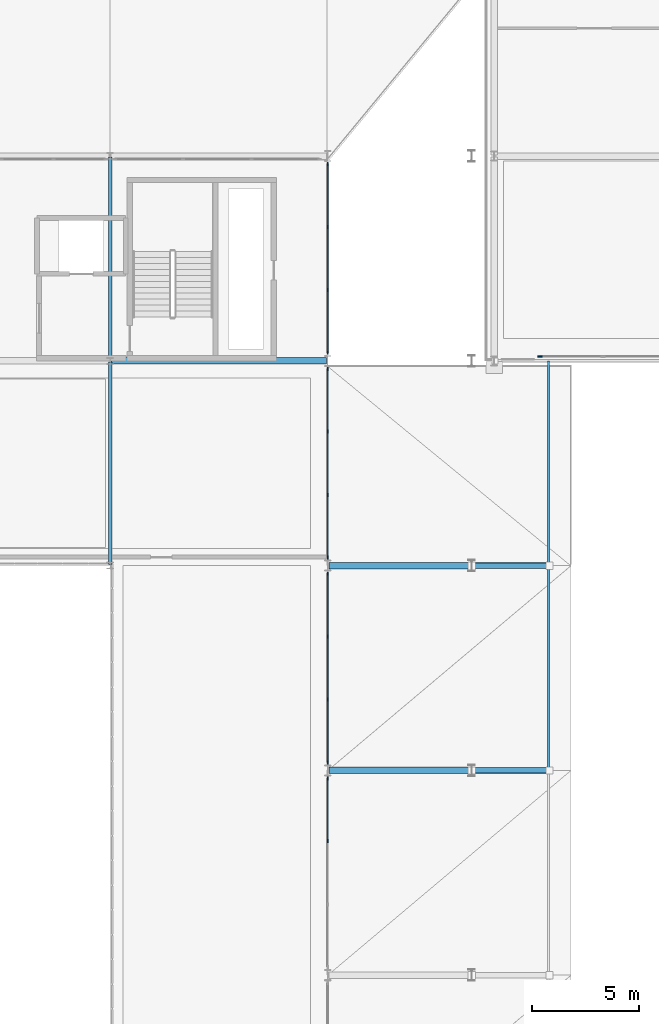
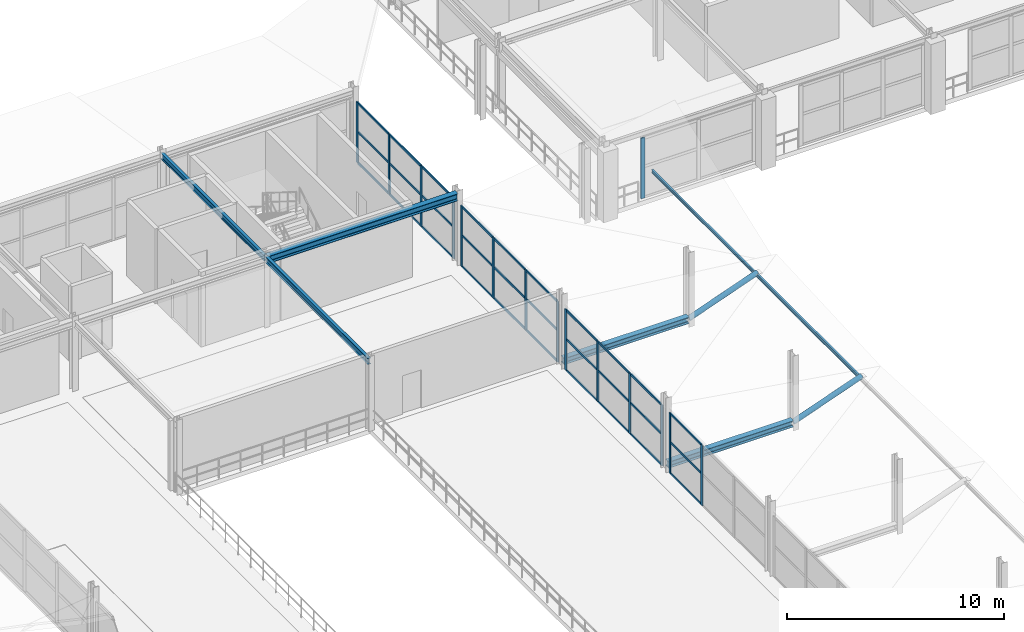
# One storey, part 23 of 81: 49 members, 5 beams, 5 elements without a shape of their own.
"""IFC4 building model written with IfcOpenShell, lengths in metres."""

from ifc_helpers import new_model, si_unit, direction, frame, origin, origin_2d, place, context, subcontext, project, spatial, rectangle, hollow_circle, i_section, extrude, material, layer, layer_set, material_profile, profile_set, type_object, element, aggregate, save


model = new_model("IFC4")

# Units and contexts
model_context = context("Model", 3, precision=1e-05, world=origin(), true_north=direction((0.0, 1.0)))
body_context = subcontext(model_context, "Body", "Model", "MODEL_VIEW")
ifc_project = project(units=[si_unit("LENGTHUNIT", "METRE"), si_unit("AREAUNIT", "SQUARE_METRE"), si_unit("VOLUMEUNIT", "CUBIC_METRE"), si_unit("PLANEANGLEUNIT", "RADIAN"), si_unit("MASSUNIT", "GRAM", prefix="KILO")], contexts=[model_context])

# Site, building, storey
site_placement = place(None, origin())
site = spatial("IfcSite", under=ifc_project, at=site_placement, CompositionType="ELEMENT")
building_placement = place(site_placement, origin())
building = spatial("IfcBuilding", under=site, at=building_placement, Name="Myrtia Square Station", CompositionType="ELEMENT")
storey_placement = place(building_placement, frame((0.0, 0.0, 10.800048828125)))
storey = spatial("IfcBuildingStorey", under=building, at=storey_placement, Name="L02", CompositionType="ELEMENT", Elevation=10.800048828125)

# Beams
ifc_material_1 = material(Name="Steel S355", Category="steel")
ifc_material_profile_1 = material_profile(ifc_material_1, i_section(OverallWidth=0.300048828125, OverallDepth=0.360107421875, WebThickness=0.012451171875, FlangeThickness=0.0224609375, FilletRadius=0.027099609375, at=origin_2d()), Name="HEB 360")
ifc_profile_set_1 = profile_set([ifc_material_profile_1], Name="Steel S355")
beam_type_1 = type_object("IfcBeamType", Name="BM-HEB360", PredefinedType="BEAM", material=ifc_profile_set_1)
for number, where, z_axis, x_axis, name in (
    (1, (109.85009765625, 67.199951171875, 0.300048828125), (1.0, 0.0, 0.0), (0.0, 1.0, 0.0), "Lower wrap colonnade tie beam 017"),
    (2, (109.85009765625, 76.800048828125, 0.300048828125), (1.0, 0.0, 0.0), (0.0, 1.0, 0.0), "Lower wrap colonnade tie beam 021"),
):
    element("IfcBeam", number, at=place(storey_placement, frame(where, z_axis=z_axis, x_axis=x_axis)), inside=storey, type_object=beam_type_1, Name=name, PredefinedType="BEAM", context=body_context, shape_type="SweptSolid", body=[
        extrude(i_section(OverallWidth=0.300048828125, OverallDepth=0.360107421875, WebThickness=0.012451171875, FlangeThickness=0.0224609375, FilletRadius=0.027099609375, at=origin_2d()), origin(), (0.0, 0.0, 1.0), 6.64990234375),
    ])
ifc_material_profile_2 = material_profile(ifc_material_1, i_section(OverallWidth=0.300048828125, OverallDepth=0.39990234375, WebThickness=0.013427734375, FlangeThickness=0.02392578125, FilletRadius=0.027099609375, at=origin_2d()), Name="HEB 400")
ifc_profile_set_2 = profile_set([ifc_material_profile_2], Name="Steel S355")
beam_type_2 = type_object("IfcBeamType", Name="BM-HEB400", PredefinedType="BEAM", material=ifc_profile_set_2)
beam_placement = place(storey_placement, frame((99.64990234375, 86.39990234375, 3.760009765625), z_axis=(1.0, 0.0, 0.0), x_axis=(0.0, 1.0, 0.0)))
element("IfcBeam", 3, at=beam_placement, inside=storey, type_object=beam_type_2, Name="Structural girder BMX-L02-0699", PredefinedType="BEAM", context=body_context, shape_type="SweptSolid", body=[
    extrude(i_section(OverallWidth=0.300048828125, OverallDepth=0.39990234375, WebThickness=0.013427734375, FlangeThickness=0.02392578125, FilletRadius=0.027099609375, at=origin_2d()), origin(), (0.0, 0.0, 1.0), 10.10009765625),
])
ifc_material_profile_3 = material_profile(ifc_material_1, i_section(OverallWidth=0.159912109375, OverallDepth=0.330078125, WebThickness=0.007568359375, FlangeThickness=0.011474609375, FilletRadius=0.01806640625, at=origin_2d()), Name="IPE 330")
ifc_profile_set_3 = profile_set([ifc_material_profile_3], Name="Steel S355")
beam_type_3 = type_object("IfcBeamType", Name="BM-IPE330", PredefinedType="BEAM", material=ifc_profile_set_3)
for number, where, z_axis, x_axis, name in (
    (4, (99.60009765625, 76.85009765625, 3.794921875), (0.0, 1.0, 0.0), (-1.0, 0.0, 0.0), "Structural girder BMY-L02-0709"),
    (5, (99.60009765625, 86.449951171875, 3.794921875), (0.0, 1.0, 0.0), (-1.0, 0.0, 0.0), "Structural girder BMY-L02-0710"),
):
    element("IfcBeam", number, at=place(storey_placement, frame(where, z_axis=z_axis, x_axis=x_axis)), inside=storey, type_object=beam_type_3, Name=name, PredefinedType="BEAM", context=body_context, shape_type="SweptSolid", body=[
        extrude(i_section(OverallWidth=0.159912109375, OverallDepth=0.330078125, WebThickness=0.007568359375, FlangeThickness=0.011474609375, FilletRadius=0.01806640625, at=origin_2d()), origin(), (0.0, 0.0, 1.0), 9.5),
    ])

# Curtain wall, members
ifc_material_2 = material(Name="Dark bronze anodised aluminium", Category="aluminium")
ifc_layer_1 = layer(ifc_material_2, 0.159912109375, Name="Dark bronze anodised aluminium")
ifc_layer_set_1 = layer_set([ifc_layer_1], Name="Dark bronze anodised aluminium")
curtain_wall_type_1 = type_object("IfcCurtainWallType", Name="CW-TYPE-06-890x341", PredefinedType="USERDEFINED", material=ifc_layer_set_1)
curtain_wall_1_placement = place(storey_placement, origin())
curtain_wall_1 = element("IfcCurtainWall", 6, at=curtain_wall_1_placement, inside=storey, type_object=curtain_wall_type_1, Name="Concourse curtain wall CW-L02-026", ObjectType="CONCOURSE CURTAIN WALL", PredefinedType="USERDEFINED")
ifc_material_profile_4 = material_profile(ifc_material_2, rectangle(XDim=0.06005859375, YDim=0.159912109375, at=origin_2d()), Name="ALU-M 60x160")
ifc_profile_set_4 = profile_set([ifc_material_profile_4], Name="Dark bronze anodised aluminium")
member_type_1 = type_object("IfcMemberType", Name="CWM-60x160", PredefinedType="MULLION", material=ifc_profile_set_4)
member_1_placement = place(storey_placement, frame((109.800048828125, 63.88330078125, 0.0), z_axis=(0.0, 0.0, 1.0), x_axis=(-1.0, 0.0, 0.0)))
member_1 = element("IfcMember", 7, at=member_1_placement, type_object=member_type_1, Name="CW-026 mullion 3", PredefinedType="MULLION", context=body_context, shape_type="SweptSolid", body=[
    extrude(rectangle(XDim=0.06005859375, YDim=0.159912109375, at=origin_2d()), origin(), (0.0, 0.0, 1.0), 3.409912109375),
])
member_2_placement = place(storey_placement, frame((109.800048828125, 66.820068359375, 0.0), z_axis=(0.0, 0.0, 1.0), x_axis=(-1.0, 0.0, 0.0)))
member_2 = element("IfcMember", 8, at=member_2_placement, type_object=member_type_1, Name="CW-026 mullion 4", PredefinedType="MULLION", context=body_context, shape_type="SweptSolid", body=[
    extrude(rectangle(XDim=0.06005859375, YDim=0.159912109375, at=origin_2d()), origin(), (0.0, 0.0, 1.0), 3.409912109375),
])

curtain_wall_2_placement = place(storey_placement, origin())
curtain_wall_2 = element("IfcCurtainWall", 9, at=curtain_wall_2_placement, inside=storey, type_object=curtain_wall_type_1, Name="Concourse curtain wall CW-L02-028", ObjectType="CONCOURSE CURTAIN WALL", PredefinedType="USERDEFINED")
member_3_placement = place(storey_placement, frame((109.800048828125, 67.580078125, 0.0), z_axis=(0.0, 0.0, 1.0), x_axis=(-1.0, 0.0, 0.0)))
member_3 = element("IfcMember", 10, at=member_3_placement, type_object=member_type_1, Name="CW-028 mullion 1", PredefinedType="MULLION", context=body_context, shape_type="SweptSolid", body=[
    extrude(rectangle(XDim=0.06005859375, YDim=0.159912109375, at=origin_2d()), origin(), (0.0, 0.0, 1.0), 3.409912109375),
])
member_4_placement = place(storey_placement, frame((109.800048828125, 70.5166015625, 0.0), z_axis=(0.0, 0.0, 1.0), x_axis=(-1.0, 0.0, 0.0)))
member_4 = element("IfcMember", 11, at=member_4_placement, type_object=member_type_1, Name="CW-028 mullion 2", PredefinedType="MULLION", context=body_context, shape_type="SweptSolid", body=[
    extrude(rectangle(XDim=0.06005859375, YDim=0.159912109375, at=origin_2d()), origin(), (0.0, 0.0, 1.0), 3.409912109375),
])
member_5_placement = place(storey_placement, frame((109.800048828125, 73.4833984375, 0.0), z_axis=(0.0, 0.0, 1.0), x_axis=(-1.0, 0.0, 0.0)))
member_5 = element("IfcMember", 12, at=member_5_placement, type_object=member_type_1, Name="CW-028 mullion 3", PredefinedType="MULLION", context=body_context, shape_type="SweptSolid", body=[
    extrude(rectangle(XDim=0.06005859375, YDim=0.159912109375, at=origin_2d()), origin(), (0.0, 0.0, 1.0), 3.409912109375),
])
member_6_placement = place(storey_placement, frame((109.800048828125, 76.419921875, 0.0), z_axis=(0.0, 0.0, 1.0), x_axis=(-1.0, 0.0, 0.0)))
member_6 = element("IfcMember", 13, at=member_6_placement, type_object=member_type_1, Name="CW-028 mullion 4", PredefinedType="MULLION", context=body_context, shape_type="SweptSolid", body=[
    extrude(rectangle(XDim=0.06005859375, YDim=0.159912109375, at=origin_2d()), origin(), (0.0, 0.0, 1.0), 3.409912109375),
])

curtain_wall_3_placement = place(storey_placement, origin())
curtain_wall_3 = element("IfcCurtainWall", 14, at=curtain_wall_3_placement, inside=storey, type_object=curtain_wall_type_1, Name="Concourse curtain wall CW-L02-030", ObjectType="CONCOURSE CURTAIN WALL", PredefinedType="USERDEFINED")
member_7_placement = place(storey_placement, frame((109.800048828125, 77.179931640625, 0.0), z_axis=(0.0, 0.0, 1.0), x_axis=(-1.0, 0.0, 0.0)))
member_7 = element("IfcMember", 15, at=member_7_placement, type_object=member_type_1, Name="CW-030 mullion 1", PredefinedType="MULLION", context=body_context, shape_type="SweptSolid", body=[
    extrude(rectangle(XDim=0.06005859375, YDim=0.159912109375, at=origin_2d()), origin(), (0.0, 0.0, 1.0), 3.409912109375),
])
member_8_placement = place(storey_placement, frame((109.800048828125, 80.11669921875, 0.0), z_axis=(0.0, 0.0, 1.0), x_axis=(-1.0, 0.0, 0.0)))
member_8 = element("IfcMember", 16, at=member_8_placement, type_object=member_type_1, Name="CW-030 mullion 2", PredefinedType="MULLION", context=body_context, shape_type="SweptSolid", body=[
    extrude(rectangle(XDim=0.06005859375, YDim=0.159912109375, at=origin_2d()), origin(), (0.0, 0.0, 1.0), 3.409912109375),
])
member_9_placement = place(storey_placement, frame((109.800048828125, 83.083251953125, 0.0), z_axis=(0.0, 0.0, 1.0), x_axis=(-1.0, 0.0, 0.0)))
member_9 = element("IfcMember", 17, at=member_9_placement, type_object=member_type_1, Name="CW-030 mullion 3", PredefinedType="MULLION", context=body_context, shape_type="SweptSolid", body=[
    extrude(rectangle(XDim=0.06005859375, YDim=0.159912109375, at=origin_2d()), origin(), (0.0, 0.0, 1.0), 3.409912109375),
])
member_10_placement = place(storey_placement, frame((109.800048828125, 86.02001953125, 0.0), z_axis=(0.0, 0.0, 1.0), x_axis=(-1.0, 0.0, 0.0)))
member_10 = element("IfcMember", 18, at=member_10_placement, type_object=member_type_1, Name="CW-030 mullion 4", PredefinedType="MULLION", context=body_context, shape_type="SweptSolid", body=[
    extrude(rectangle(XDim=0.06005859375, YDim=0.159912109375, at=origin_2d()), origin(), (0.0, 0.0, 1.0), 3.409912109375),
])

curtain_wall_4_placement = place(storey_placement, origin())
curtain_wall_4 = element("IfcCurtainWall", 19, at=curtain_wall_4_placement, inside=storey, type_object=curtain_wall_type_1, Name="Concourse curtain wall CW-L02-032", ObjectType="CONCOURSE CURTAIN WALL", PredefinedType="USERDEFINED")
member_11_placement = place(storey_placement, frame((109.800048828125, 86.780029296875, 0.0), z_axis=(0.0, 0.0, 1.0), x_axis=(-1.0, 0.0, 0.0)))
member_11 = element("IfcMember", 20, at=member_11_placement, type_object=member_type_1, Name="CW-032 mullion 1", PredefinedType="MULLION", context=body_context, shape_type="SweptSolid", body=[
    extrude(rectangle(XDim=0.06005859375, YDim=0.159912109375, at=origin_2d()), origin(), (0.0, 0.0, 1.0), 3.409912109375),
])
member_12_placement = place(storey_placement, frame((109.800048828125, 89.716552734375, 0.0), z_axis=(0.0, 0.0, 1.0), x_axis=(-1.0, 0.0, 0.0)))
member_12 = element("IfcMember", 21, at=member_12_placement, type_object=member_type_1, Name="CW-032 mullion 2", PredefinedType="MULLION", context=body_context, shape_type="SweptSolid", body=[
    extrude(rectangle(XDim=0.06005859375, YDim=0.159912109375, at=origin_2d()), origin(), (0.0, 0.0, 1.0), 3.409912109375),
])
member_13_placement = place(storey_placement, frame((109.800048828125, 92.683349609375, 0.0), z_axis=(0.0, 0.0, 1.0), x_axis=(-1.0, 0.0, 0.0)))
member_13 = element("IfcMember", 22, at=member_13_placement, type_object=member_type_1, Name="CW-032 mullion 3", PredefinedType="MULLION", context=body_context, shape_type="SweptSolid", body=[
    extrude(rectangle(XDim=0.06005859375, YDim=0.159912109375, at=origin_2d()), origin(), (0.0, 0.0, 1.0), 3.409912109375),
])
member_14_placement = place(storey_placement, frame((109.800048828125, 95.6201171875, 0.0), z_axis=(0.0, 0.0, 1.0), x_axis=(-1.0, 0.0, 0.0)))
member_14 = element("IfcMember", 23, at=member_14_placement, type_object=member_type_1, Name="CW-032 mullion 4", PredefinedType="MULLION", context=body_context, shape_type="SweptSolid", body=[
    extrude(rectangle(XDim=0.06005859375, YDim=0.159912109375, at=origin_2d()), origin(), (0.0, 0.0, 1.0), 3.409912109375),
])

# Curtain wall, member
ifc_layer_2 = layer(ifc_material_2, 0.159912109375, Name="Dark bronze anodised aluminium")
ifc_layer_set_2 = layer_set([ifc_layer_2], Name="Dark bronze anodised aluminium")
curtain_wall_type_2 = type_object("IfcCurtainWallType", Name="CW-TYPE-38-598x340", PredefinedType="USERDEFINED", material=ifc_layer_set_2)
curtain_wall_5_placement = place(storey_placement, origin())
curtain_wall_5 = element("IfcCurtainWall", 24, at=curtain_wall_5_placement, inside=storey, type_object=curtain_wall_type_2, Name="Concourse curtain wall CW-L02-117", ObjectType="CONCOURSE CURTAIN WALL", PredefinedType="USERDEFINED")
ifc_material_profile_5 = material_profile(ifc_material_2, rectangle(XDim=0.06494140625, YDim=0.199951171875, at=origin_2d()), Name="ALU-M 65x200")
ifc_profile_set_5 = profile_set([ifc_material_profile_5], Name="Dark bronze anodised aluminium")
member_type_2 = type_object("IfcMemberType", Name="CWM-65x200", PredefinedType="MULLION", material=ifc_profile_set_5)
member_15_placement = place(storey_placement, frame((119.757568359375, 86.60009765625, 0.0), z_axis=(0.0, 0.0, 1.0), x_axis=(0.0, 1.0, 0.0)))
member_15 = element("IfcMember", 25, at=member_15_placement, type_object=member_type_2, Name="CW-117 mullion 1", PredefinedType="MULLION", context=body_context, shape_type="SweptSolid", body=[
    extrude(rectangle(XDim=0.06494140625, YDim=0.199951171875, at=origin_2d()), origin(), (0.0, 0.0, 1.0), 3.39990234375),
])
aggregate(curtain_wall_5, [member_15])

# Member
ifc_material_profile_6 = material_profile(ifc_material_2, rectangle(XDim=0.06005859375, YDim=0.1201171875, at=origin_2d()), Name="ALU-T 60x120")
ifc_profile_set_6 = profile_set([ifc_material_profile_6], Name="Dark bronze anodised aluminium")
member_type_3 = type_object("IfcMemberType", Name="CWT-60x120", PredefinedType="USERDEFINED", material=ifc_profile_set_6)
member_16_placement = place(storey_placement, frame((109.800048828125, 63.913330078125, 0.030029296875), z_axis=(0.0, 1.0, 0.0), x_axis=(-1.0, 0.0, 0.0)))
member_16 = element("IfcMember", 26, at=member_16_placement, type_object=member_type_3, Name="CW-026 transom 3.1", ObjectType="TRANSOM", PredefinedType="USERDEFINED", context=body_context, shape_type="SweptSolid", body=[
    extrude(rectangle(XDim=0.06005859375, YDim=0.1201171875, at=origin_2d()), origin(), (0.0, 0.0, 1.0), 2.876708984375),
])

member_17_placement = place(storey_placement, frame((109.800048828125, 63.913330078125, 1.77294921875), z_axis=(0.0, 1.0, 0.0), x_axis=(-1.0, 0.0, 0.0)))
member_17 = element("IfcMember", 27, at=member_17_placement, type_object=member_type_3, Name="CW-026 transom 3.2", ObjectType="TRANSOM", PredefinedType="USERDEFINED", context=body_context, shape_type="SweptSolid", body=[
    extrude(rectangle(XDim=0.06005859375, YDim=0.1201171875, at=origin_2d()), origin(), (0.0, 0.0, 1.0), 2.876708984375),
])

member_18_placement = place(storey_placement, frame((109.800048828125, 63.913330078125, 3.3798828125), z_axis=(0.0, 1.0, 0.0), x_axis=(-1.0, 0.0, 0.0)))
member_18 = element("IfcMember", 28, at=member_18_placement, type_object=member_type_3, Name="CW-026 transom 3.3", ObjectType="TRANSOM", PredefinedType="USERDEFINED", context=body_context, shape_type="SweptSolid", body=[
    extrude(rectangle(XDim=0.06005859375, YDim=0.1201171875, at=origin_2d()), origin(), (0.0, 0.0, 1.0), 2.876708984375),
])

aggregate(curtain_wall_1, [member_1, member_2, member_16, member_17, member_18])

member_19_placement = place(storey_placement, frame((109.800048828125, 67.610107421875, 0.030029296875), z_axis=(0.0, 1.0, 0.0), x_axis=(-1.0, 0.0, 0.0)))
member_19 = element("IfcMember", 29, at=member_19_placement, type_object=member_type_3, Name="CW-028 transom 1.1", ObjectType="TRANSOM", PredefinedType="USERDEFINED", context=body_context, shape_type="SweptSolid", body=[
    extrude(rectangle(XDim=0.06005859375, YDim=0.1201171875, at=origin_2d()), origin(), (0.0, 0.0, 1.0), 2.87646484375),
])

member_20_placement = place(storey_placement, frame((109.800048828125, 67.610107421875, 1.77294921875), z_axis=(0.0, 1.0, 0.0), x_axis=(-1.0, 0.0, 0.0)))
member_20 = element("IfcMember", 30, at=member_20_placement, type_object=member_type_3, Name="CW-028 transom 1.2", ObjectType="TRANSOM", PredefinedType="USERDEFINED", context=body_context, shape_type="SweptSolid", body=[
    extrude(rectangle(XDim=0.06005859375, YDim=0.1201171875, at=origin_2d()), origin(), (0.0, 0.0, 1.0), 2.87646484375),
])

member_21_placement = place(storey_placement, frame((109.800048828125, 67.610107421875, 3.3798828125), z_axis=(0.0, 1.0, 0.0), x_axis=(-1.0, 0.0, 0.0)))
member_21 = element("IfcMember", 31, at=member_21_placement, type_object=member_type_3, Name="CW-028 transom 1.3", ObjectType="TRANSOM", PredefinedType="USERDEFINED", context=body_context, shape_type="SweptSolid", body=[
    extrude(rectangle(XDim=0.06005859375, YDim=0.1201171875, at=origin_2d()), origin(), (0.0, 0.0, 1.0), 2.87646484375),
])

member_22_placement = place(storey_placement, frame((109.800048828125, 70.546630859375, 0.030029296875), z_axis=(0.0, 1.0, 0.0), x_axis=(-1.0, 0.0, 0.0)))
member_22 = element("IfcMember", 32, at=member_22_placement, type_object=member_type_3, Name="CW-028 transom 2.1", ObjectType="TRANSOM", PredefinedType="USERDEFINED", context=body_context, shape_type="SweptSolid", body=[
    extrude(rectangle(XDim=0.06005859375, YDim=0.1201171875, at=origin_2d()), origin(), (0.0, 0.0, 1.0), 2.90673828125),
])

member_23_placement = place(storey_placement, frame((109.800048828125, 70.546630859375, 1.77294921875), z_axis=(0.0, 1.0, 0.0), x_axis=(-1.0, 0.0, 0.0)))
member_23 = element("IfcMember", 33, at=member_23_placement, type_object=member_type_3, Name="CW-028 transom 2.2", ObjectType="TRANSOM", PredefinedType="USERDEFINED", context=body_context, shape_type="SweptSolid", body=[
    extrude(rectangle(XDim=0.06005859375, YDim=0.1201171875, at=origin_2d()), origin(), (0.0, 0.0, 1.0), 2.90673828125),
])

member_24_placement = place(storey_placement, frame((109.800048828125, 70.546630859375, 3.3798828125), z_axis=(0.0, 1.0, 0.0), x_axis=(-1.0, 0.0, 0.0)))
member_24 = element("IfcMember", 34, at=member_24_placement, type_object=member_type_3, Name="CW-028 transom 2.3", ObjectType="TRANSOM", PredefinedType="USERDEFINED", context=body_context, shape_type="SweptSolid", body=[
    extrude(rectangle(XDim=0.06005859375, YDim=0.1201171875, at=origin_2d()), origin(), (0.0, 0.0, 1.0), 2.90673828125),
])

member_25_placement = place(storey_placement, frame((109.800048828125, 73.513427734375, 0.030029296875), z_axis=(0.0, 1.0, 0.0), x_axis=(-1.0, 0.0, 0.0)))
member_25 = element("IfcMember", 35, at=member_25_placement, type_object=member_type_3, Name="CW-028 transom 3.1", ObjectType="TRANSOM", PredefinedType="USERDEFINED", context=body_context, shape_type="SweptSolid", body=[
    extrude(rectangle(XDim=0.06005859375, YDim=0.1201171875, at=origin_2d()), origin(), (0.0, 0.0, 1.0), 2.87646484375),
])

member_26_placement = place(storey_placement, frame((109.800048828125, 73.513427734375, 1.77294921875), z_axis=(0.0, 1.0, 0.0), x_axis=(-1.0, 0.0, 0.0)))
member_26 = element("IfcMember", 36, at=member_26_placement, type_object=member_type_3, Name="CW-028 transom 3.2", ObjectType="TRANSOM", PredefinedType="USERDEFINED", context=body_context, shape_type="SweptSolid", body=[
    extrude(rectangle(XDim=0.06005859375, YDim=0.1201171875, at=origin_2d()), origin(), (0.0, 0.0, 1.0), 2.87646484375),
])

member_27_placement = place(storey_placement, frame((109.800048828125, 73.513427734375, 3.3798828125), z_axis=(0.0, 1.0, 0.0), x_axis=(-1.0, 0.0, 0.0)))
member_27 = element("IfcMember", 37, at=member_27_placement, type_object=member_type_3, Name="CW-028 transom 3.3", ObjectType="TRANSOM", PredefinedType="USERDEFINED", context=body_context, shape_type="SweptSolid", body=[
    extrude(rectangle(XDim=0.06005859375, YDim=0.1201171875, at=origin_2d()), origin(), (0.0, 0.0, 1.0), 2.87646484375),
])

aggregate(curtain_wall_2, [member_3, member_4, member_5, member_6, member_19, member_20, member_21, member_22, member_23, member_24, member_25, member_26, member_27])

member_28_placement = place(storey_placement, frame((109.800048828125, 77.2099609375, 0.030029296875), z_axis=(0.0, 1.0, 0.0), x_axis=(-1.0, 0.0, 0.0)))
member_28 = element("IfcMember", 38, at=member_28_placement, type_object=member_type_3, Name="CW-030 transom 1.1", ObjectType="TRANSOM", PredefinedType="USERDEFINED", context=body_context, shape_type="SweptSolid", body=[
    extrude(rectangle(XDim=0.06005859375, YDim=0.1201171875, at=origin_2d()), origin(), (0.0, 0.0, 1.0), 2.876708984375),
])

member_29_placement = place(storey_placement, frame((109.800048828125, 77.2099609375, 1.77294921875), z_axis=(0.0, 1.0, 0.0), x_axis=(-1.0, 0.0, 0.0)))
member_29 = element("IfcMember", 39, at=member_29_placement, type_object=member_type_3, Name="CW-030 transom 1.2", ObjectType="TRANSOM", PredefinedType="USERDEFINED", context=body_context, shape_type="SweptSolid", body=[
    extrude(rectangle(XDim=0.06005859375, YDim=0.1201171875, at=origin_2d()), origin(), (0.0, 0.0, 1.0), 2.876708984375),
])

member_30_placement = place(storey_placement, frame((109.800048828125, 77.2099609375, 3.3798828125), z_axis=(0.0, 1.0, 0.0), x_axis=(-1.0, 0.0, 0.0)))
member_30 = element("IfcMember", 40, at=member_30_placement, type_object=member_type_3, Name="CW-030 transom 1.3", ObjectType="TRANSOM", PredefinedType="USERDEFINED", context=body_context, shape_type="SweptSolid", body=[
    extrude(rectangle(XDim=0.06005859375, YDim=0.1201171875, at=origin_2d()), origin(), (0.0, 0.0, 1.0), 2.876708984375),
])

member_31_placement = place(storey_placement, frame((109.800048828125, 80.146728515625, 0.030029296875), z_axis=(0.0, 1.0, 0.0), x_axis=(-1.0, 0.0, 0.0)))
member_31 = element("IfcMember", 41, at=member_31_placement, type_object=member_type_3, Name="CW-030 transom 2.1", ObjectType="TRANSOM", PredefinedType="USERDEFINED", context=body_context, shape_type="SweptSolid", body=[
    extrude(rectangle(XDim=0.06005859375, YDim=0.1201171875, at=origin_2d()), origin(), (0.0, 0.0, 1.0), 2.906494140625),
])

member_32_placement = place(storey_placement, frame((109.800048828125, 80.146728515625, 1.77294921875), z_axis=(0.0, 1.0, 0.0), x_axis=(-1.0, 0.0, 0.0)))
member_32 = element("IfcMember", 42, at=member_32_placement, type_object=member_type_3, Name="CW-030 transom 2.2", ObjectType="TRANSOM", PredefinedType="USERDEFINED", context=body_context, shape_type="SweptSolid", body=[
    extrude(rectangle(XDim=0.06005859375, YDim=0.1201171875, at=origin_2d()), origin(), (0.0, 0.0, 1.0), 2.906494140625),
])

member_33_placement = place(storey_placement, frame((109.800048828125, 80.146728515625, 3.3798828125), z_axis=(0.0, 1.0, 0.0), x_axis=(-1.0, 0.0, 0.0)))
member_33 = element("IfcMember", 43, at=member_33_placement, type_object=member_type_3, Name="CW-030 transom 2.3", ObjectType="TRANSOM", PredefinedType="USERDEFINED", context=body_context, shape_type="SweptSolid", body=[
    extrude(rectangle(XDim=0.06005859375, YDim=0.1201171875, at=origin_2d()), origin(), (0.0, 0.0, 1.0), 2.906494140625),
])

member_34_placement = place(storey_placement, frame((109.800048828125, 83.11328125, 0.030029296875), z_axis=(0.0, 1.0, 0.0), x_axis=(-1.0, 0.0, 0.0)))
member_34 = element("IfcMember", 44, at=member_34_placement, type_object=member_type_3, Name="CW-030 transom 3.1", ObjectType="TRANSOM", PredefinedType="USERDEFINED", context=body_context, shape_type="SweptSolid", body=[
    extrude(rectangle(XDim=0.06005859375, YDim=0.1201171875, at=origin_2d()), origin(), (0.0, 0.0, 1.0), 2.876708984375),
])

member_35_placement = place(storey_placement, frame((109.800048828125, 83.11328125, 1.77294921875), z_axis=(0.0, 1.0, 0.0), x_axis=(-1.0, 0.0, 0.0)))
member_35 = element("IfcMember", 45, at=member_35_placement, type_object=member_type_3, Name="CW-030 transom 3.2", ObjectType="TRANSOM", PredefinedType="USERDEFINED", context=body_context, shape_type="SweptSolid", body=[
    extrude(rectangle(XDim=0.06005859375, YDim=0.1201171875, at=origin_2d()), origin(), (0.0, 0.0, 1.0), 2.876708984375),
])

member_36_placement = place(storey_placement, frame((109.800048828125, 83.11328125, 3.3798828125), z_axis=(0.0, 1.0, 0.0), x_axis=(-1.0, 0.0, 0.0)))
member_36 = element("IfcMember", 46, at=member_36_placement, type_object=member_type_3, Name="CW-030 transom 3.3", ObjectType="TRANSOM", PredefinedType="USERDEFINED", context=body_context, shape_type="SweptSolid", body=[
    extrude(rectangle(XDim=0.06005859375, YDim=0.1201171875, at=origin_2d()), origin(), (0.0, 0.0, 1.0), 2.876708984375),
])

aggregate(curtain_wall_3, [member_7, member_8, member_9, member_10, member_28, member_29, member_30, member_31, member_32, member_33, member_34, member_35, member_36])

member_37_placement = place(storey_placement, frame((109.800048828125, 86.81005859375, 0.030029296875), z_axis=(0.0, 1.0, 0.0), x_axis=(-1.0, 0.0, 0.0)))
member_37 = element("IfcMember", 47, at=member_37_placement, type_object=member_type_3, Name="CW-032 transom 1.1", ObjectType="TRANSOM", PredefinedType="USERDEFINED", context=body_context, shape_type="SweptSolid", body=[
    extrude(rectangle(XDim=0.06005859375, YDim=0.1201171875, at=origin_2d()), origin(), (0.0, 0.0, 1.0), 2.876708984375),
])

member_38_placement = place(storey_placement, frame((109.800048828125, 86.81005859375, 1.77294921875), z_axis=(0.0, 1.0, 0.0), x_axis=(-1.0, 0.0, 0.0)))
member_38 = element("IfcMember", 48, at=member_38_placement, type_object=member_type_3, Name="CW-032 transom 1.2", ObjectType="TRANSOM", PredefinedType="USERDEFINED", context=body_context, shape_type="SweptSolid", body=[
    extrude(rectangle(XDim=0.06005859375, YDim=0.1201171875, at=origin_2d()), origin(), (0.0, 0.0, 1.0), 2.876708984375),
])

member_39_placement = place(storey_placement, frame((109.800048828125, 86.81005859375, 3.3798828125), z_axis=(0.0, 1.0, 0.0), x_axis=(-1.0, 0.0, 0.0)))
member_39 = element("IfcMember", 49, at=member_39_placement, type_object=member_type_3, Name="CW-032 transom 1.3", ObjectType="TRANSOM", PredefinedType="USERDEFINED", context=body_context, shape_type="SweptSolid", body=[
    extrude(rectangle(XDim=0.06005859375, YDim=0.1201171875, at=origin_2d()), origin(), (0.0, 0.0, 1.0), 2.876708984375),
])

member_40_placement = place(storey_placement, frame((109.800048828125, 89.74658203125, 0.030029296875), z_axis=(0.0, 1.0, 0.0), x_axis=(-1.0, 0.0, 0.0)))
member_40 = element("IfcMember", 50, at=member_40_placement, type_object=member_type_3, Name="CW-032 transom 2.1", ObjectType="TRANSOM", PredefinedType="USERDEFINED", context=body_context, shape_type="SweptSolid", body=[
    extrude(rectangle(XDim=0.06005859375, YDim=0.1201171875, at=origin_2d()), origin(), (0.0, 0.0, 1.0), 2.90673828125),
])

member_41_placement = place(storey_placement, frame((109.800048828125, 89.74658203125, 1.77294921875), z_axis=(0.0, 1.0, 0.0), x_axis=(-1.0, 0.0, 0.0)))
member_41 = element("IfcMember", 51, at=member_41_placement, type_object=member_type_3, Name="CW-032 transom 2.2", ObjectType="TRANSOM", PredefinedType="USERDEFINED", context=body_context, shape_type="SweptSolid", body=[
    extrude(rectangle(XDim=0.06005859375, YDim=0.1201171875, at=origin_2d()), origin(), (0.0, 0.0, 1.0), 2.90673828125),
])

member_42_placement = place(storey_placement, frame((109.800048828125, 89.74658203125, 3.3798828125), z_axis=(0.0, 1.0, 0.0), x_axis=(-1.0, 0.0, 0.0)))
member_42 = element("IfcMember", 52, at=member_42_placement, type_object=member_type_3, Name="CW-032 transom 2.3", ObjectType="TRANSOM", PredefinedType="USERDEFINED", context=body_context, shape_type="SweptSolid", body=[
    extrude(rectangle(XDim=0.06005859375, YDim=0.1201171875, at=origin_2d()), origin(), (0.0, 0.0, 1.0), 2.90673828125),
])

member_43_placement = place(storey_placement, frame((109.800048828125, 92.71337890625, 0.030029296875), z_axis=(0.0, 1.0, 0.0), x_axis=(-1.0, 0.0, 0.0)))
member_43 = element("IfcMember", 53, at=member_43_placement, type_object=member_type_3, Name="CW-032 transom 3.1", ObjectType="TRANSOM", PredefinedType="USERDEFINED", context=body_context, shape_type="SweptSolid", body=[
    extrude(rectangle(XDim=0.06005859375, YDim=0.1201171875, at=origin_2d()), origin(), (0.0, 0.0, 1.0), 2.876708984375),
])

member_44_placement = place(storey_placement, frame((109.800048828125, 92.71337890625, 1.77294921875), z_axis=(0.0, 1.0, 0.0), x_axis=(-1.0, 0.0, 0.0)))
member_44 = element("IfcMember", 54, at=member_44_placement, type_object=member_type_3, Name="CW-032 transom 3.2", ObjectType="TRANSOM", PredefinedType="USERDEFINED", context=body_context, shape_type="SweptSolid", body=[
    extrude(rectangle(XDim=0.06005859375, YDim=0.1201171875, at=origin_2d()), origin(), (0.0, 0.0, 1.0), 2.876708984375),
])

member_45_placement = place(storey_placement, frame((109.800048828125, 92.71337890625, 3.3798828125), z_axis=(0.0, 1.0, 0.0), x_axis=(-1.0, 0.0, 0.0)))
member_45 = element("IfcMember", 55, at=member_45_placement, type_object=member_type_3, Name="CW-032 transom 3.3", ObjectType="TRANSOM", PredefinedType="USERDEFINED", context=body_context, shape_type="SweptSolid", body=[
    extrude(rectangle(XDim=0.06005859375, YDim=0.1201171875, at=origin_2d()), origin(), (0.0, 0.0, 1.0), 2.876708984375),
])

aggregate(curtain_wall_4, [member_11, member_12, member_13, member_14, member_37, member_38, member_39, member_40, member_41, member_42, member_43, member_44, member_45])

# Members
ifc_material_profile_7 = material_profile(ifc_material_1, i_section(OverallWidth=0.091064453125, OverallDepth=0.179931640625, WebThickness=0.00537109375, FlangeThickness=0.008056640625, FilletRadius=0.009033203125, at=origin_2d()), Name="IPE 180")
ifc_profile_set_7 = profile_set([ifc_material_profile_7], Name="Steel S355")
member_type_4 = type_object("IfcMemberType", Name="PUR-IPE180", PredefinedType="PURLIN", material=ifc_profile_set_7)
member_46_placement = place(storey_placement, frame((120.14990234375, 76.800048828125, 1.510009765625), z_axis=(0.0, 1.0, 0.0), x_axis=(-1.0, 0.0, 0.0)))
element("IfcMember", 56, at=member_46_placement, inside=storey, type_object=member_type_4, Name="Overhang eave purlin PUR-L02-0053", PredefinedType="PURLIN", context=body_context, shape_type="SweptSolid", body=[
    extrude(i_section(OverallWidth=0.091064453125, OverallDepth=0.179931640625, WebThickness=0.00537109375, FlangeThickness=0.008056640625, FilletRadius=0.009033203125, at=origin_2d()), origin(), (0.0, 0.0, 1.0), 9.599853515625),
])
ifc_material_profile_8 = material_profile(ifc_material_1, i_section(OverallWidth=0.10009765625, OverallDepth=0.199951171875, WebThickness=0.005615234375, FlangeThickness=0.008544921875, FilletRadius=0.011962890625, at=origin_2d()), Name="IPE 200")
ifc_profile_set_8 = profile_set([ifc_material_profile_8], Name="Steel S355")
member_type_5 = type_object("IfcMemberType", Name="PUR-IPE200", PredefinedType="PURLIN", material=ifc_profile_set_8)
member_47_placement = place(storey_placement, frame((120.14990234375, 67.199951171875, 1.510009765625), z_axis=(0.0, 1.0, 0.0), x_axis=(-1.0, 0.0, 0.0)))
element("IfcMember", 57, at=member_47_placement, inside=storey, type_object=member_type_5, Name="Overhang eave purlin PUR-L02-0044", PredefinedType="PURLIN", context=body_context, shape_type="SweptSolid", body=[
    extrude(i_section(OverallWidth=0.10009765625, OverallDepth=0.199951171875, WebThickness=0.005615234375, FlangeThickness=0.008544921875, FilletRadius=0.011962890625, at=origin_2d()), origin(), (0.0, 0.0, 1.0), 9.60009765625),
])
ifc_material_profile_9 = material_profile(ifc_material_1, hollow_circle(Radius=0.136474609375, WallThickness=0.01611328125, at=origin_2d()), Name="CHS 273x16")
ifc_profile_set_9 = profile_set([ifc_material_profile_9], Name="Steel S355")
member_type_6 = type_object("IfcMemberType", Name="STR-CHS273", PredefinedType="STRUT", material=ifc_profile_set_9)
for number, where, z_axis, x_axis, name in (
    (58, (116.550048828125, 67.199951171875, 0.300048828125), (0.940807162788, 0.0, 0.338942299584), (0.0, 1.0, 0.0), "Lower wrap square raking strut STR-LO-018"),
    (59, (116.550048828125, 76.800048828125, 0.300048828125), (0.940807162788, 0.0, 0.338942299584), (0.0, 1.0, 0.0), "Lower wrap square raking strut STR-LO-022"),
):
    element("IfcMember", number, at=place(storey_placement, frame(where, z_axis=z_axis, x_axis=x_axis)), inside=storey, type_object=member_type_6, Name=name, PredefinedType="STRUT", context=body_context, shape_type="SweptSolid", body=[
        extrude(hollow_circle(Radius=0.136474609375, WallThickness=0.01611328125, at=origin_2d()), origin(), (0.0, 0.0, 1.0), 3.879638671875),
    ])

save(model, "model.ifc")
